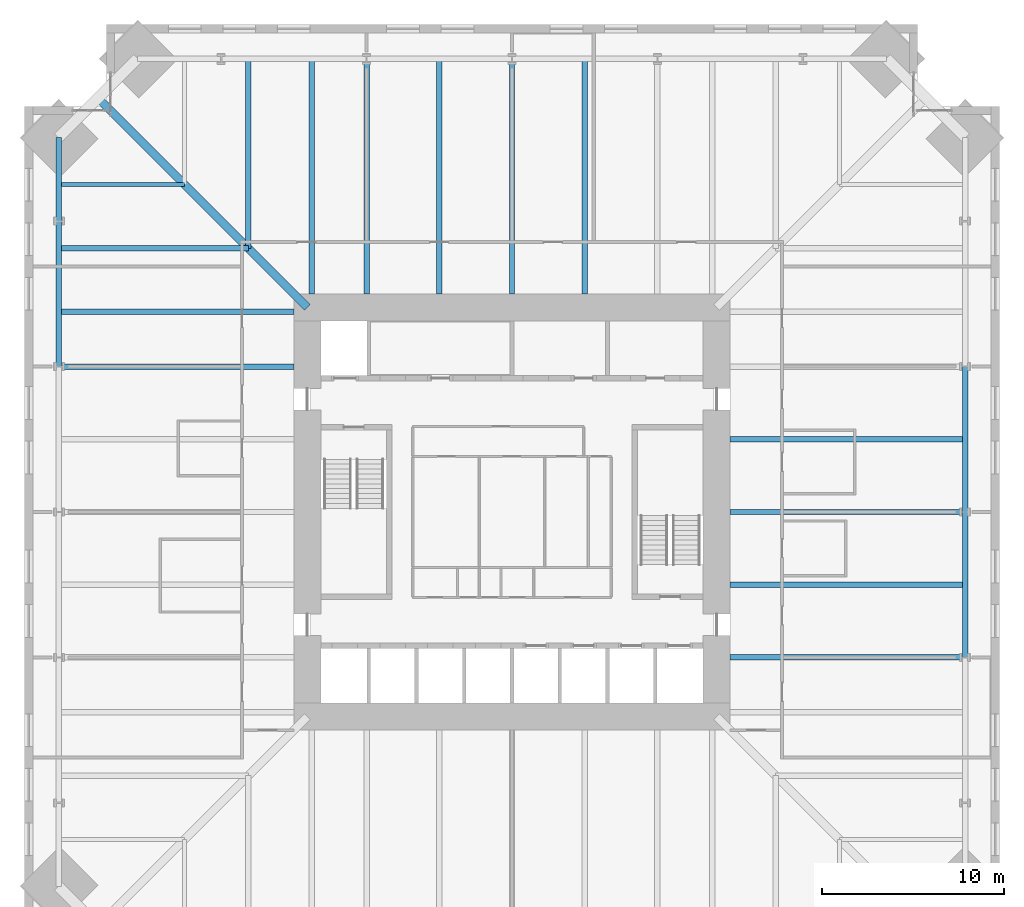
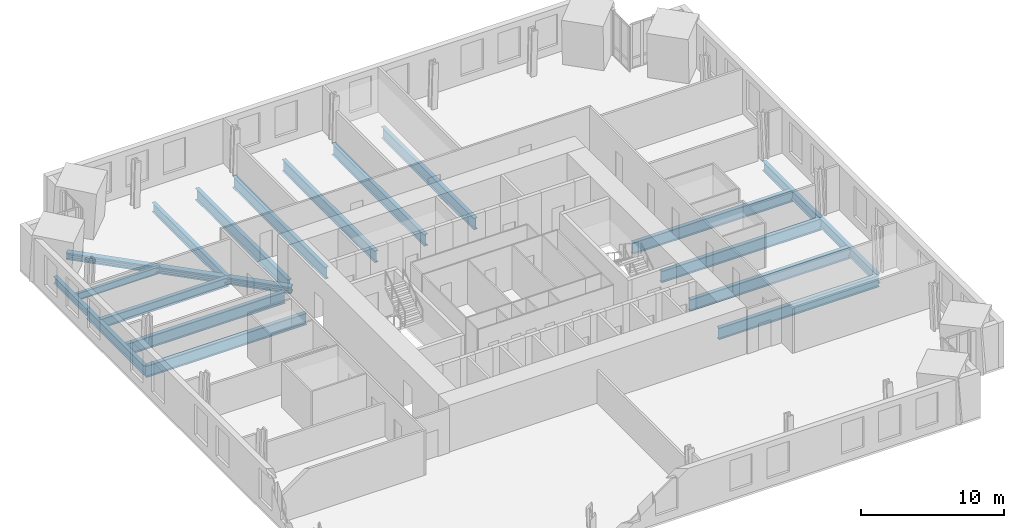
# One storey, part 5 of 17: 19 beams.
"""IFC4 building model written with IfcOpenShell, lengths in metres."""

from ifc_helpers import new_model, si_unit, direction, frame, origin, origin_2d, place, context, subcontext, project, spatial, i_section, extrude, material, material_profile, profile_set, type_object, element, save


model = new_model("IFC4")

# Units and contexts
model_context = context("Model", 3, precision=1e-05, world=origin(), true_north=direction((0.0, 1.0)))
body_context = subcontext(model_context, "Body", "Model", "MODEL_VIEW")
ifc_project = project(units=[si_unit("LENGTHUNIT", "METRE"), si_unit("AREAUNIT", "SQUARE_METRE"), si_unit("VOLUMEUNIT", "CUBIC_METRE"), si_unit("PLANEANGLEUNIT", "RADIAN"), si_unit("MASSUNIT", "GRAM", prefix="KILO")], contexts=[model_context])

# Site, building, storey
site_placement = place(None, origin())
site = spatial("IfcSite", under=ifc_project, at=site_placement, CompositionType="ELEMENT")
building_placement = place(site_placement, origin())
building = spatial("IfcBuilding", under=site, at=building_placement, Name="Peilmerk Tower", CompositionType="ELEMENT")
storey_placement = place(building_placement, frame((0.0, 0.0, 147.800048828125)))
storey = spatial("IfcBuildingStorey", under=building, at=storey_placement, Name="L30", CompositionType="ELEMENT", Elevation=147.800048828125)

# Beams
ifc_material_1 = material(Name="Steel S355", Category="steel")
ifc_material_profile_1 = material_profile(ifc_material_1, i_section(OverallWidth=0.219970703125, OverallDepth=0.60009765625, WebThickness=0.011962890625, FlangeThickness=0.01904296875, at=origin_2d()), Name="IPE 600")
ifc_profile_set_1 = profile_set([ifc_material_profile_1], Name="Steel S355")
beam_type_1 = type_object("IfcBeamType", Name="B10 IPE 600 floor beam", PredefinedType="BEAM", material=ifc_profile_set_1)
beam_1_placement = place(storey_placement, frame((-18.0, 18.0, -0.469970703125), z_axis=(-1.0, 0.0, 0.0), x_axis=(0.0, -1.0, 0.0)))
element("IfcBeam", 1, at=beam_1_placement, inside=storey, type_object=beam_type_1, Name="Floor beam L30", PredefinedType="BEAM", context=body_context, shape_type="SweptSolid", body=[
    extrude(i_section(OverallWidth=0.219970703125, OverallDepth=0.60009765625, WebThickness=0.011962890625, FlangeThickness=0.01904296875, at=origin_2d()), origin(), (0.0, 0.0, 1.0), 6.93701171875),
])
ifc_material_profile_2 = material_profile(ifc_material_1, i_section(OverallWidth=0.302978515625, OverallDepth=0.81396484375, WebThickness=0.02099609375, FlangeThickness=0.0400390625, at=origin_2d()), Name="HEM 800")
ifc_profile_set_2 = profile_set([ifc_material_profile_2], Name="Steel S355")
beam_type_2 = type_object("IfcBeamType", Name="B15 HEM 800 edge beam", PredefinedType="SPANDREL", material=ifc_profile_set_2)
for number, where, z_axis, x_axis, name in (
    (2, (24.93701171875, -8.0, -0.5771484375), (0.0, 1.0, 0.0), (-1.0, 0.0, 0.0), "Edge beam L30"),
    (3, (24.93701171875, 0.0, -0.5771484375), (0.0, 1.0, 0.0), (-1.0, 0.0, 0.0), "Edge beam L30"),
    (4, (-24.93701171875, 16.0, -0.5771484375), (0.0, -1.0, 0.0), (1.0, 0.0, 0.0), "Edge beam L30"),
):
    element("IfcBeam", number, at=place(storey_placement, frame(where, z_axis=z_axis, x_axis=x_axis)), inside=storey, type_object=beam_type_2, Name=name, PredefinedType="SPANDREL", context=body_context, shape_type="SweptSolid", body=[
        extrude(i_section(OverallWidth=0.302978515625, OverallDepth=0.81396484375, WebThickness=0.02099609375, FlangeThickness=0.0400390625, at=origin_2d()), origin(), (0.0, 0.0, 1.0), 8.0),
    ])
ifc_material_profile_3 = material_profile(ifc_material_1, i_section(OverallWidth=0.300048828125, OverallDepth=0.7900390625, WebThickness=0.014892578125, FlangeThickness=0.028076171875, at=origin_2d()), Name="HEA 800")
ifc_profile_set_3 = profile_set([ifc_material_profile_3], Name="Steel S355")
beam_type_3 = type_object("IfcBeamType", Name="B3 HEA 800 floor beam", PredefinedType="BEAM", material=ifc_profile_set_3)
for number, where, z_axis, x_axis, name in (
    (5, (-14.5, 14.5, -0.56494140625), (0.0, 1.0, 0.0), (-1.0, 0.0, 0.0), "Floor beam L30"),
    (6, (-14.5, 14.5, -0.56494140625), (-1.0, 0.0, 0.0), (0.0, -1.0, 0.0), "Floor beam L30"),
):
    element("IfcBeam", number, at=place(storey_placement, frame(where, z_axis=z_axis, x_axis=x_axis)), inside=storey, type_object=beam_type_3, Name=name, PredefinedType="BEAM", context=body_context, shape_type="SweptSolid", body=[
        extrude(i_section(OverallWidth=0.300048828125, OverallDepth=0.7900390625, WebThickness=0.014892578125, FlangeThickness=0.028076171875, at=origin_2d()), origin(), (0.0, 0.0, 1.0), 10.43701171875),
    ])
ifc_material_profile_4 = material_profile(ifc_material_1, i_section(OverallWidth=0.304931640625, OverallDepth=0.6201171875, WebThickness=0.02099609375, FlangeThickness=0.0400390625, at=origin_2d()), Name="HEM 600")
ifc_profile_set_4 = profile_set([ifc_material_profile_4], Name="Steel S355")
beam_type_4 = type_object("IfcBeamType", Name="B31 HEM 600 edge beam", PredefinedType="SPANDREL", material=ifc_profile_set_4)
beam_2_placement = place(storey_placement, frame((-24.93701171875, 20.587158203125, -0.47998046875), z_axis=(0.0, -1.0, 0.0), x_axis=(1.0, 0.0, 0.0)))
element("IfcBeam", 7, at=beam_2_placement, inside=storey, type_object=beam_type_4, Name="Edge beam L30", PredefinedType="SPANDREL", context=body_context, shape_type="SweptSolid", body=[
    extrude(i_section(OverallWidth=0.304931640625, OverallDepth=0.6201171875, WebThickness=0.02099609375, FlangeThickness=0.0400390625, at=origin_2d()), origin(), (0.0, 0.0, 1.0), 4.587158203125),
])
ifc_material_profile_5 = material_profile(ifc_material_1, i_section(OverallWidth=0.300048828125, OverallDepth=1.0, WebThickness=0.01904296875, FlangeThickness=0.035888671875, at=origin_2d()), Name="HEB 1000")
ifc_profile_set_5 = profile_set([ifc_material_profile_5], Name="Steel S355")
beam_type_5 = type_object("IfcBeamType", Name="B5 HEB 1000 floor girder", PredefinedType="BEAM", material=ifc_profile_set_5)
for number, where, z_axis, x_axis, name in (
    (8, (4.0, 12.0, -0.670166015625), (0.0, 1.0, 0.0), (-1.0, 0.0, 0.0), "Floor beam L30"),
    (9, (0.0, 12.0, -0.670166015625), (0.0, 1.0, 0.0), (-1.0, 0.0, 0.0), "Floor beam L30"),
    (10, (-4.0, 12.0, -0.670166015625), (0.0, 1.0, 0.0), (-1.0, 0.0, 0.0), "Floor beam L30"),
    (11, (-8.0, 12.0, -0.670166015625), (0.0, 1.0, 0.0), (-1.0, 0.0, 0.0), "Floor beam L30"),
    (12, (-11.0, 12.0, -0.670166015625), (0.0, 1.0, 0.0), (-1.0, 0.0, 0.0), "Floor beam L30"),
    (13, (12.0, -8.0, -0.670166015625), (1.0, 0.0, 0.0), (0.0, 1.0, 0.0), "Floor beam L30"),
    (14, (12.0, -4.0, -0.670166015625), (1.0, 0.0, 0.0), (0.0, 1.0, 0.0), "Floor beam L30"),
    (15, (12.0, 0.0, -0.670166015625), (1.0, 0.0, 0.0), (0.0, 1.0, 0.0), "Floor beam L30"),
    (16, (12.0, 4.0, -0.670166015625), (1.0, 0.0, 0.0), (0.0, 1.0, 0.0), "Floor beam L30"),
    (17, (-12.0, 11.0, -0.670166015625), (-1.0, 0.0, 0.0), (0.0, -1.0, 0.0), "Floor beam L30"),
    (18, (-12.0, 8.0, -0.670166015625), (-1.0, 0.0, 0.0), (0.0, -1.0, 0.0), "Floor beam L30"),
):
    element("IfcBeam", number, at=place(storey_placement, frame(where, z_axis=z_axis, x_axis=x_axis)), inside=storey, type_object=beam_type_5, Name=name, PredefinedType="BEAM", context=body_context, shape_type="SweptSolid", body=[
        extrude(i_section(OverallWidth=0.300048828125, OverallDepth=1.0, WebThickness=0.01904296875, FlangeThickness=0.035888671875, at=origin_2d()), origin(), (0.0, 0.0, 1.0), 12.93701171875),
    ])
ifc_material_2 = material(Name="Steel S460", Category="steel")
ifc_material_profile_6 = material_profile(ifc_material_2, i_section(OverallWidth=0.4541015625, OverallDepth=0.569091796875, WebThickness=0.077880859375, FlangeThickness=0.125, at=origin_2d()), Name="HD 400x1086")
ifc_profile_set_6 = profile_set([ifc_material_profile_6], Name="Steel S460")
beam_type_6 = type_object("IfcBeamType", Name="B9 HD 400x1086 corner girder", PredefinedType="BEAM", material=ifc_profile_set_6)
beam_3_placement = place(storey_placement, frame((-11.25, 11.25, -0.45458984375), z_axis=(-0.707106781187, 0.707106781187, 0.0), x_axis=(-0.707106781187, -0.707106781187, 0.0)))
element("IfcBeam", 19, at=beam_3_placement, inside=storey, type_object=beam_type_6, Name="Corner girder L30", PredefinedType="BEAM", context=body_context, shape_type="SweptSolid", body=[
    extrude(i_section(OverallWidth=0.4541015625, OverallDepth=0.569091796875, WebThickness=0.077880859375, FlangeThickness=0.125, at=origin_2d()), origin(), (0.0, 0.0, 1.0), 16.28076171875),
])

save(model, "model.ifc")
